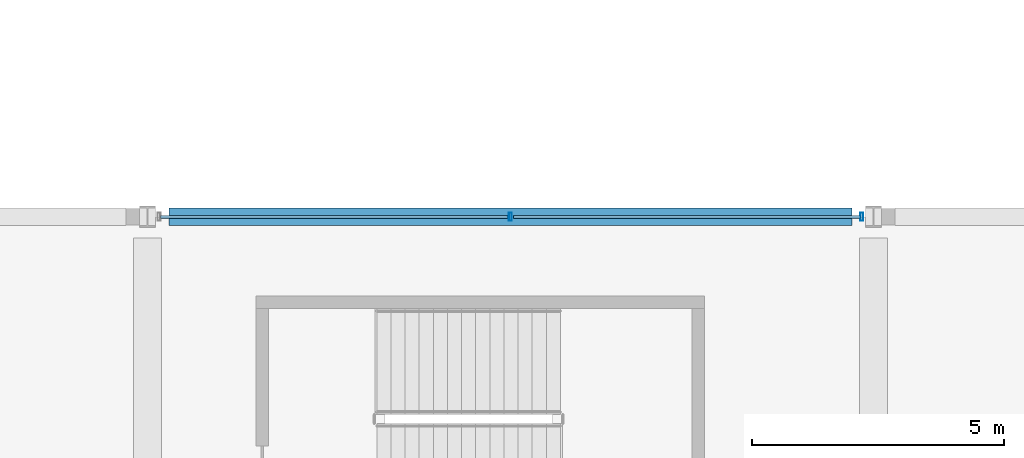
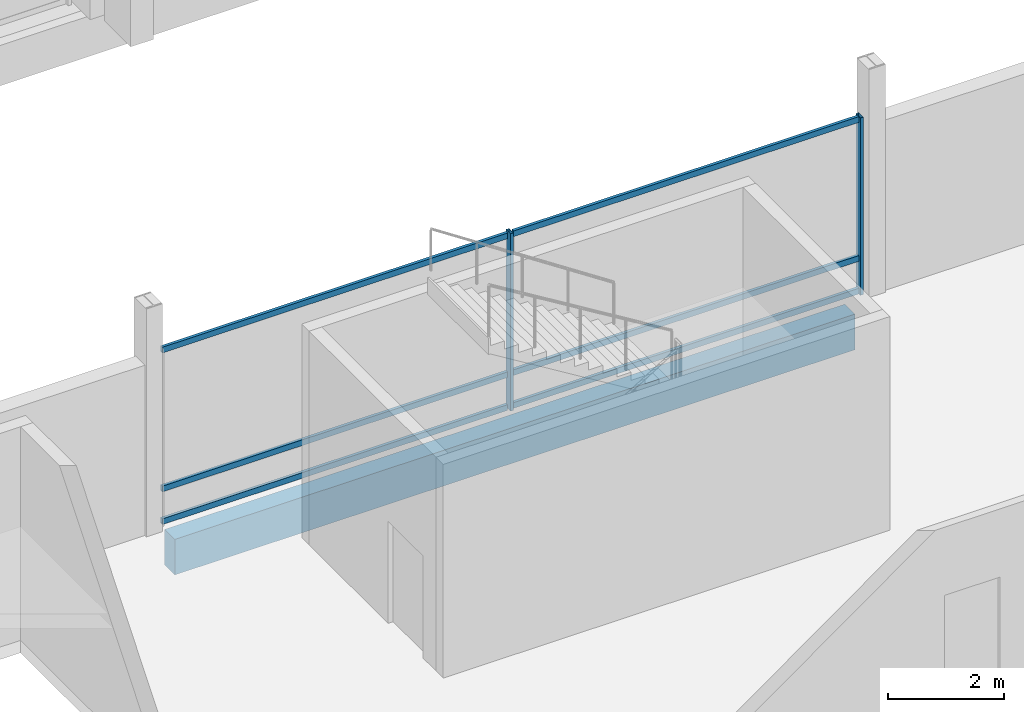
# One storey, part 43 of 220: 8 members, 1 beam, 1 element without a shape of its own.
"""IFC4 building model written with IfcOpenShell, lengths in metres."""

from ifc_helpers import new_model, si_unit, direction, frame, origin, origin_2d, place, context, subcontext, project, spatial, rectangle, hollow_rectangle, extrude, material, material_profile, profile_set, type_object, element, aggregate, save


model = new_model("IFC4")

# Units and contexts
model_context = context("Model", 3, precision=1e-05, world=origin(), true_north=direction((0.0, 1.0)))
body_context = subcontext(model_context, "Body", "Model", "MODEL_VIEW")
ifc_project = project(units=[si_unit("LENGTHUNIT", "METRE"), si_unit("AREAUNIT", "SQUARE_METRE"), si_unit("VOLUMEUNIT", "CUBIC_METRE"), si_unit("PLANEANGLEUNIT", "RADIAN"), si_unit("MASSUNIT", "GRAM", prefix="KILO")], contexts=[model_context])

# Site, building, storey
site_placement = place(None, origin())
site = spatial("IfcSite", under=ifc_project, at=site_placement, CompositionType="ELEMENT")
building_placement = place(site_placement, origin())
building = spatial("IfcBuilding", under=site, at=building_placement, Name="Cendralis Lancet Convention Centre", CompositionType="ELEMENT")
storey_placement = place(building_placement, frame((0.0, 0.0, 5.39990234375)))
storey = spatial("IfcBuildingStorey", under=building, at=storey_placement, Name="L01", CompositionType="ELEMENT", Elevation=5.39990234375)

# Curtain wall, members
ifc_material_1 = material(Name="Anodised bronze architectural aluminium", Category="aluminium")
curtain_wall_type = type_object("IfcCurtainWallType", Name="ARC-CW-CL02", PredefinedType="USERDEFINED", material=ifc_material_1)
curtain_wall_placement = place(storey_placement, origin())
curtain_wall = element("IfcCurtainWall", 1, at=curtain_wall_placement, inside=storey, type_object=curtain_wall_type, Name="L01 Curtain Wall CW-CL2 #168", ObjectType="CURTAIN WALL", PredefinedType="USERDEFINED")
ifc_material_profile_1 = material_profile(ifc_material_1, hollow_rectangle(XDim=0.06005859375, YDim=0.159912109375, WallThickness=0.00390625, at=origin_2d()), Name="AL-MULL 60x160x4.0")
ifc_profile_set_1 = profile_set([ifc_material_profile_1], Name="Anodised bronze architectural aluminium")
member_type_1 = type_object("IfcMemberType", Name="ARC-CW-ML01", PredefinedType="MULLION", material=ifc_profile_set_1)
member_1_placement = place(storey_placement, frame((100.800048828125, 36.0, 0.0), z_axis=(0.0, 0.0, 1.0), x_axis=(1.0, 0.0, 0.0)))
member_1 = element("IfcMember", 2, at=member_1_placement, type_object=member_type_1, Name="Mullion CW2-CW-CL2-L01-168-M1", PredefinedType="MULLION", context=body_context, shape_type="SweptSolid", body=[
    extrude(hollow_rectangle(XDim=0.06005859375, YDim=0.159912109375, WallThickness=0.00390625, at=origin_2d()), origin(), (0.0, 0.0, 1.0), 3.735107421875),
])
member_2_placement = place(storey_placement, frame((107.77001953125, 36.0, 0.0), z_axis=(0.0, 0.0, 1.0), x_axis=(1.0, 0.0, 0.0)))
member_2 = element("IfcMember", 3, at=member_2_placement, type_object=member_type_1, Name="Mullion CW2-CW-CL2-L01-168-M2", PredefinedType="MULLION", context=body_context, shape_type="SweptSolid", body=[
    extrude(hollow_rectangle(XDim=0.06005859375, YDim=0.159912109375, WallThickness=0.00390625, at=origin_2d()), origin(), (0.0, 0.0, 1.0), 3.735107421875),
])
ifc_material_profile_2 = material_profile(ifc_material_1, hollow_rectangle(XDim=0.06005859375, YDim=0.1201171875, WallThickness=0.00390625, at=origin_2d()), Name="AL-TRAN 60x120x4.0")
ifc_profile_set_2 = profile_set([ifc_material_profile_2], Name="Anodised bronze architectural aluminium")
member_type_2 = type_object("IfcMemberType", Name="ARC-CW-TR01", PredefinedType="USERDEFINED", material=ifc_profile_set_2)
member_3_placement = place(storey_placement, frame((93.860107421875, 36.0, 0.06005859375), z_axis=(1.0, 0.0, 0.0), x_axis=(0.0, 1.0, 0.0)))
member_3 = element("IfcMember", 4, at=member_3_placement, type_object=member_type_2, Name="Transom CW2-CW-CL2-L01-168-T0BOT", ObjectType="TRANSOM", PredefinedType="USERDEFINED", context=body_context, shape_type="SweptSolid", body=[
    extrude(hollow_rectangle(XDim=0.06005859375, YDim=0.1201171875, WallThickness=0.00390625, at=origin_2d()), origin(), (0.0, 0.0, 1.0), 6.8798828125),
])
member_4_placement = place(storey_placement, frame((93.860107421875, 36.0, 0.75), z_axis=(1.0, 0.0, 0.0), x_axis=(0.0, 1.0, 0.0)))
member_4 = element("IfcMember", 5, at=member_4_placement, type_object=member_type_2, Name="Transom CW2-CW-CL2-L01-168-T0MID", ObjectType="TRANSOM", PredefinedType="USERDEFINED", context=body_context, shape_type="SweptSolid", body=[
    extrude(hollow_rectangle(XDim=0.06005859375, YDim=0.1201171875, WallThickness=0.00390625, at=origin_2d()), origin(), (0.0, 0.0, 1.0), 6.8798828125),
])
member_5_placement = place(storey_placement, frame((93.860107421875, 36.0, 3.675048828125), z_axis=(1.0, 0.0, 0.0), x_axis=(0.0, 1.0, 0.0)))
member_5 = element("IfcMember", 6, at=member_5_placement, type_object=member_type_2, Name="Transom CW2-CW-CL2-L01-168-T0TOP", ObjectType="TRANSOM", PredefinedType="USERDEFINED", context=body_context, shape_type="SweptSolid", body=[
    extrude(hollow_rectangle(XDim=0.06005859375, YDim=0.1201171875, WallThickness=0.00390625, at=origin_2d()), origin(), (0.0, 0.0, 1.0), 6.8798828125),
])
member_6_placement = place(storey_placement, frame((100.860107421875, 36.0, 0.06005859375), z_axis=(1.0, 0.0, 0.0), x_axis=(0.0, 1.0, 0.0)))
member_6 = element("IfcMember", 7, at=member_6_placement, type_object=member_type_2, Name="Transom CW2-CW-CL2-L01-168-T1BOT", ObjectType="TRANSOM", PredefinedType="USERDEFINED", context=body_context, shape_type="SweptSolid", body=[
    extrude(hollow_rectangle(XDim=0.06005859375, YDim=0.1201171875, WallThickness=0.00390625, at=origin_2d()), origin(), (0.0, 0.0, 1.0), 6.8798828125),
])
member_7_placement = place(storey_placement, frame((100.860107421875, 36.0, 0.75), z_axis=(1.0, 0.0, 0.0), x_axis=(0.0, 1.0, 0.0)))
member_7 = element("IfcMember", 8, at=member_7_placement, type_object=member_type_2, Name="Transom CW2-CW-CL2-L01-168-T1MID", ObjectType="TRANSOM", PredefinedType="USERDEFINED", context=body_context, shape_type="SweptSolid", body=[
    extrude(hollow_rectangle(XDim=0.06005859375, YDim=0.1201171875, WallThickness=0.00390625, at=origin_2d()), origin(), (0.0, 0.0, 1.0), 6.8798828125),
])
member_8_placement = place(storey_placement, frame((100.860107421875, 36.0, 3.675048828125), z_axis=(1.0, 0.0, 0.0), x_axis=(0.0, 1.0, 0.0)))
member_8 = element("IfcMember", 9, at=member_8_placement, type_object=member_type_2, Name="Transom CW2-CW-CL2-L01-168-T1TOP", ObjectType="TRANSOM", PredefinedType="USERDEFINED", context=body_context, shape_type="SweptSolid", body=[
    extrude(hollow_rectangle(XDim=0.06005859375, YDim=0.1201171875, WallThickness=0.00390625, at=origin_2d()), origin(), (0.0, 0.0, 1.0), 6.8798828125),
])
aggregate(curtain_wall, [member_1, member_2, member_3, member_4, member_5, member_6, member_7, member_8])

# Beam
ifc_material_2 = material(Name="Concrete G40 (C40/50)", Category="concrete")
ifc_material_profile_3 = material_profile(ifc_material_2, rectangle(XDim=0.35009765625, YDim=0.75, at=origin_2d()), Name="RCB 350x750")
ifc_profile_set_3 = profile_set([ifc_material_profile_3], Name="Concrete G40 (C40/50)")
beam_type = type_object("IfcBeamType", Name="STR-SP-SP01", PredefinedType="SPANDREL", material=ifc_profile_set_3)
beam_placement = place(storey_placement, frame((94.02490234375, 36.0, -0.65478515625), z_axis=(1.0, 0.0, 0.0), x_axis=(0.0, 1.0, 0.0)))
element("IfcBeam", 10, at=beam_placement, inside=storey, type_object=beam_type, Name="L01 Beam SP01 #0769", PredefinedType="SPANDREL", context=body_context, shape_type="SweptSolid", body=[
    extrude(rectangle(XDim=0.35009765625, YDim=0.75, at=origin_2d()), origin(), (0.0, 0.0, 1.0), 13.550048828125),
])

save(model, "model.ifc")
